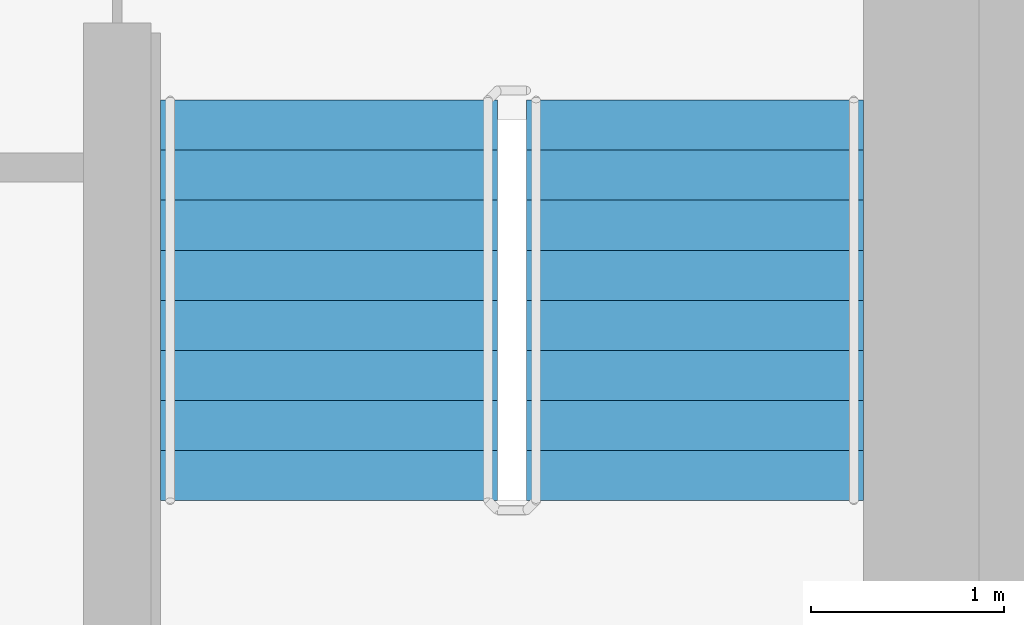
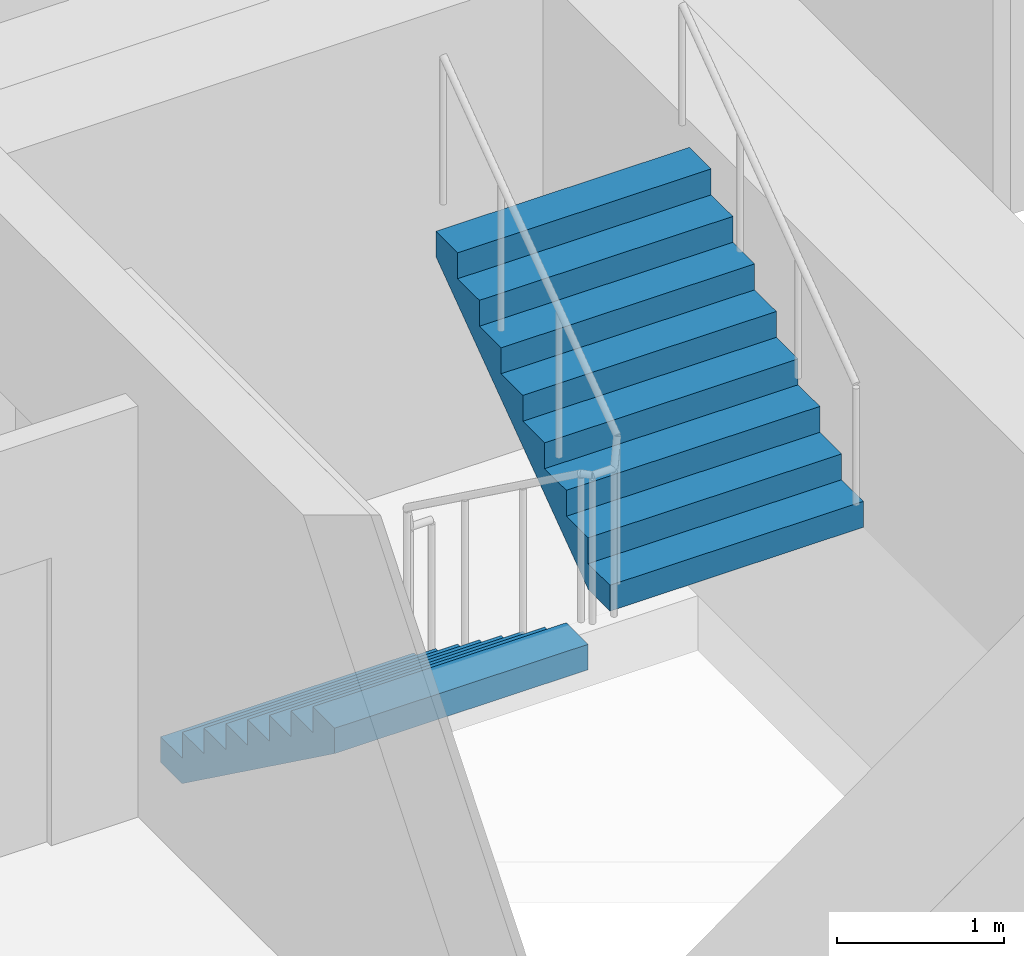
# One storey, part 14 of 18: 2 stair flights, 1 element without a shape of its own.
"""IFC4 building model written with IfcOpenShell, lengths in metres."""

from ifc_helpers import new_model, si_unit, direction, frame, origin, place, context, subcontext, project, spatial, faceted_brep, material, type_object, element, aggregate, save


model = new_model("IFC4")

# Units and contexts
model_context = context("Model", 3, precision=1e-05, world=origin(), true_north=direction((0.0, 1.0)))
body_context = subcontext(model_context, "Body", "Model", "MODEL_VIEW")
ifc_project = project(units=[si_unit("LENGTHUNIT", "METRE"), si_unit("AREAUNIT", "SQUARE_METRE"), si_unit("VOLUMEUNIT", "CUBIC_METRE"), si_unit("PLANEANGLEUNIT", "RADIAN"), si_unit("MASSUNIT", "GRAM", prefix="KILO")], contexts=[model_context])

# Site, building, storey
site_placement = place(None, origin())
site = spatial("IfcSite", under=ifc_project, at=site_placement, CompositionType="ELEMENT")
building_placement = place(site_placement, origin())
building = spatial("IfcBuilding", under=site, at=building_placement, Name="Ipe Terrace Towers", CompositionType="ELEMENT")
storey_placement = place(building_placement, frame((0.0, 0.0, 199.39990234375)))
storey = spatial("IfcBuildingStorey", under=building, at=storey_placement, Name="L55", CompositionType="ELEMENT", Elevation=199.39990234375)

# Stair, stair flights
ifc_material_1 = material(Name="Concrete C30/37", Category="concrete")
stair_type = type_object("IfcStairType", Name="Protected exit stair", PredefinedType="HALF_TURN_STAIR", material=ifc_material_1)
stair_placement = place(storey_placement, origin())
stair = element("IfcStair", 1, at=stair_placement, inside=storey, type_object=stair_type, Name="L55 Exit stair T2-C2", PredefinedType="HALF_TURN_STAIR")
ifc_material_2 = material(Name="Concrete C30/37", Category="concrete")
stair_flight_type = type_object("IfcStairFlightType", Name="Exit stair flight 1750", PredefinedType="STRAIGHT", material=ifc_material_2)
stair_flight_1_placement = place(storey_placement, frame((38.77490234375, -9.699951171875, 0.0), z_axis=(0.0, 0.0, 1.0), x_axis=(0.0, -1.0, 0.0)))
stair_flight_1 = element("IfcStairFlight", 2, at=stair_flight_1_placement, type_object=stair_flight_type, Name="T2-ST2 flight 1", NumberOfRisers=9, NumberOfTreads=8, PredefinedType="STRAIGHT", RiserHeight=0.188888889, TreadLength=0.26, context=body_context, shape_type="Brep", body=[
    faceted_brep([(0.255126953125, -0.875, 0.0), (2.080078125, -0.875, 1.325927734375), (2.080078125, -0.875, 1.51123046875), (1.820068359375, -0.875, 1.51123046875), (1.820068359375, -0.875, 1.322265625), (1.56005859375, -0.875, 1.322265625), (1.56005859375, -0.875, 1.13330078125), (1.300048828125, -0.875, 1.13330078125), (1.300048828125, -0.875, 0.9443359375), (1.0400390625, -0.875, 0.9443359375), (1.0400390625, -0.875, 0.755615234375), (0.780029296875, -0.875, 0.755615234375), (0.780029296875, -0.875, 0.566650390625), (0.52001953125, -0.875, 0.566650390625), (0.52001953125, -0.875, 0.377685546875), (0.260009765625, -0.875, 0.377685546875), (0.260009765625, -0.875, 0.18896484375), (0.0, -0.875, 0.18896484375), (0.0, -0.875, 0.0), (0.0, 0.875, 0.0), (0.0, 0.875, 0.18896484375), (0.260009765625, 0.875, 0.18896484375), (0.260009765625, 0.875, 0.377685546875), (0.52001953125, 0.875, 0.377685546875), (0.52001953125, 0.875, 0.566650390625), (0.780029296875, 0.875, 0.566650390625), (0.780029296875, 0.875, 0.755615234375), (1.0400390625, 0.875, 0.755615234375), (1.0400390625, 0.875, 0.9443359375), (1.300048828125, 0.875, 0.9443359375), (1.300048828125, 0.875, 1.13330078125), (1.56005859375, 0.875, 1.13330078125), (1.56005859375, 0.875, 1.322265625), (1.820068359375, 0.875, 1.322265625), (1.820068359375, 0.875, 1.51123046875), (2.080078125, 0.875, 1.51123046875), (2.080078125, 0.875, 1.325927734375), (0.255126953125, 0.875, 0.0), (0.0, -0.300048828125, 0.18896484375), (0.0, -0.1201171875, 0.18896484375), (0.0, -0.06005859375, 0.18896484375), (0.0, -0.030029296875, 0.18896484375), (0.0, -0.010009765625, 0.18896484375), (0.0, 0.0, 0.18896484375), (0.0, 0.010009765625, 0.18896484375), (0.0, 0.030029296875, 0.18896484375), (0.0, 0.06005859375, 0.18896484375), (0.0, 0.1201171875, 0.18896484375), (0.0, 0.300048828125, 0.18896484375), (0.0, 0.300048828125, 0.0), (0.0, 0.1201171875, 0.0), (0.0, 0.06005859375, 0.0), (0.0, 0.030029296875, 0.0), (0.0, 0.010009765625, 0.0), (0.0, 0.0, 0.0), (0.0, -0.010009765625, 0.0), (0.0, -0.030029296875, 0.0), (0.0, -0.06005859375, 0.0), (0.0, -0.1201171875, 0.0), (0.0, -0.300048828125, 0.0), (0.260009765625, -0.300048828125, 0.18896484375), (0.260009765625, -0.1201171875, 0.18896484375), (0.260009765625, -0.06005859375, 0.18896484375), (0.260009765625, -0.030029296875, 0.18896484375), (0.260009765625, -0.010009765625, 0.18896484375), (0.260009765625, 0.0, 0.18896484375), (0.260009765625, 0.010009765625, 0.18896484375), (0.260009765625, 0.030029296875, 0.18896484375), (0.260009765625, 0.06005859375, 0.18896484375), (0.260009765625, 0.1201171875, 0.18896484375), (0.260009765625, 0.300048828125, 0.18896484375), (0.260009765625, -0.300048828125, 0.377685546875), (0.260009765625, -0.1201171875, 0.377685546875), (0.260009765625, -0.06005859375, 0.377685546875), (0.260009765625, -0.030029296875, 0.377685546875), (0.260009765625, -0.010009765625, 0.377685546875), (0.260009765625, 0.0, 0.377685546875), (0.260009765625, 0.010009765625, 0.377685546875), (0.260009765625, 0.030029296875, 0.377685546875), (0.260009765625, 0.06005859375, 0.377685546875), (0.260009765625, 0.1201171875, 0.377685546875), (0.260009765625, 0.300048828125, 0.377685546875), (0.52001953125, -0.300048828125, 0.377685546875), (0.52001953125, -0.1201171875, 0.377685546875), (0.52001953125, -0.06005859375, 0.377685546875), (0.52001953125, -0.030029296875, 0.377685546875), (0.52001953125, -0.010009765625, 0.377685546875), (0.52001953125, 0.0, 0.377685546875), (0.52001953125, 0.010009765625, 0.377685546875), (0.52001953125, 0.030029296875, 0.377685546875), (0.52001953125, 0.06005859375, 0.377685546875), (0.52001953125, 0.1201171875, 0.377685546875), (0.52001953125, 0.300048828125, 0.377685546875), (0.52001953125, -0.300048828125, 0.566650390625), (0.52001953125, -0.1201171875, 0.566650390625), (0.52001953125, -0.06005859375, 0.566650390625), (0.52001953125, -0.030029296875, 0.566650390625), (0.52001953125, -0.010009765625, 0.566650390625), (0.52001953125, 0.0, 0.566650390625), (0.52001953125, 0.010009765625, 0.566650390625), (0.52001953125, 0.030029296875, 0.566650390625), (0.52001953125, 0.06005859375, 0.566650390625), (0.52001953125, 0.1201171875, 0.566650390625), (0.52001953125, 0.300048828125, 0.566650390625), (0.780029296875, -0.300048828125, 0.566650390625), (0.780029296875, -0.1201171875, 0.566650390625), (0.780029296875, -0.06005859375, 0.566650390625), (0.780029296875, -0.030029296875, 0.566650390625), (0.780029296875, -0.010009765625, 0.566650390625), (0.780029296875, 0.0, 0.566650390625), (0.780029296875, 0.010009765625, 0.566650390625), (0.780029296875, 0.030029296875, 0.566650390625), (0.780029296875, 0.06005859375, 0.566650390625), (0.780029296875, 0.1201171875, 0.566650390625), (0.780029296875, 0.300048828125, 0.566650390625), (0.780029296875, -0.300048828125, 0.755615234375), (0.780029296875, -0.1201171875, 0.755615234375), (0.780029296875, -0.06005859375, 0.755615234375), (0.780029296875, -0.030029296875, 0.755615234375), (0.780029296875, -0.010009765625, 0.755615234375), (0.780029296875, 0.0, 0.755615234375), (0.780029296875, 0.010009765625, 0.755615234375), (0.780029296875, 0.030029296875, 0.755615234375), (0.780029296875, 0.06005859375, 0.755615234375), (0.780029296875, 0.1201171875, 0.755615234375), (0.780029296875, 0.300048828125, 0.755615234375), (1.0400390625, -0.300048828125, 0.755615234375), (1.0400390625, -0.1201171875, 0.755615234375), (1.0400390625, -0.06005859375, 0.755615234375), (1.0400390625, -0.030029296875, 0.755615234375), (1.0400390625, -0.010009765625, 0.755615234375), (1.0400390625, 0.0, 0.755615234375), (1.0400390625, 0.010009765625, 0.755615234375), (1.0400390625, 0.030029296875, 0.755615234375), (1.0400390625, 0.06005859375, 0.755615234375), (1.0400390625, 0.1201171875, 0.755615234375), (1.0400390625, 0.300048828125, 0.755615234375), (1.0400390625, -0.300048828125, 0.9443359375), (1.0400390625, -0.1201171875, 0.9443359375), (1.0400390625, -0.06005859375, 0.9443359375), (1.0400390625, -0.030029296875, 0.9443359375), (1.0400390625, -0.010009765625, 0.9443359375), (1.0400390625, 0.0, 0.9443359375), (1.0400390625, 0.010009765625, 0.9443359375), (1.0400390625, 0.030029296875, 0.9443359375), (1.0400390625, 0.06005859375, 0.9443359375), (1.0400390625, 0.1201171875, 0.9443359375), (1.0400390625, 0.300048828125, 0.9443359375), (1.300048828125, -0.300048828125, 0.9443359375), (1.300048828125, -0.1201171875, 0.9443359375), (1.300048828125, -0.06005859375, 0.9443359375), (1.300048828125, -0.030029296875, 0.9443359375), (1.300048828125, -0.010009765625, 0.9443359375), (1.300048828125, 0.0, 0.9443359375), (1.300048828125, 0.010009765625, 0.9443359375), (1.300048828125, 0.030029296875, 0.9443359375), (1.300048828125, 0.06005859375, 0.9443359375), (1.300048828125, 0.1201171875, 0.9443359375), (1.300048828125, 0.300048828125, 0.9443359375), (1.300048828125, -0.300048828125, 1.13330078125), (1.300048828125, -0.1201171875, 1.13330078125), (1.300048828125, -0.06005859375, 1.13330078125), (1.300048828125, -0.030029296875, 1.13330078125), (1.300048828125, -0.010009765625, 1.13330078125), (1.300048828125, 0.0, 1.13330078125), (1.300048828125, 0.010009765625, 1.13330078125), (1.300048828125, 0.030029296875, 1.13330078125), (1.300048828125, 0.06005859375, 1.13330078125), (1.300048828125, 0.1201171875, 1.13330078125), (1.300048828125, 0.300048828125, 1.13330078125), (1.56005859375, -0.300048828125, 1.13330078125), (1.56005859375, -0.1201171875, 1.13330078125), (1.56005859375, -0.06005859375, 1.13330078125), (1.56005859375, -0.030029296875, 1.13330078125), (1.56005859375, -0.010009765625, 1.13330078125), (1.56005859375, 0.0, 1.13330078125), (1.56005859375, 0.010009765625, 1.13330078125), (1.56005859375, 0.030029296875, 1.13330078125), (1.56005859375, 0.06005859375, 1.13330078125), (1.56005859375, 0.1201171875, 1.13330078125), (1.56005859375, 0.300048828125, 1.13330078125), (1.56005859375, -0.300048828125, 1.322265625), (1.56005859375, -0.1201171875, 1.322265625), (1.56005859375, -0.06005859375, 1.322265625), (1.56005859375, -0.030029296875, 1.322265625), (1.56005859375, -0.010009765625, 1.322265625), (1.56005859375, 0.0, 1.322265625), (1.56005859375, 0.010009765625, 1.322265625), (1.56005859375, 0.030029296875, 1.322265625), (1.56005859375, 0.06005859375, 1.322265625), (1.56005859375, 0.1201171875, 1.322265625), (1.56005859375, 0.300048828125, 1.322265625), (1.820068359375, -0.300048828125, 1.322265625), (1.820068359375, -0.1201171875, 1.322265625), (1.820068359375, -0.06005859375, 1.322265625), (1.820068359375, -0.030029296875, 1.322265625), (1.820068359375, -0.010009765625, 1.322265625), (1.820068359375, 0.0, 1.322265625), (1.820068359375, 0.010009765625, 1.322265625), (1.820068359375, 0.030029296875, 1.322265625), (1.820068359375, 0.06005859375, 1.322265625), (1.820068359375, 0.1201171875, 1.322265625), (1.820068359375, 0.300048828125, 1.322265625), (1.820068359375, -0.300048828125, 1.51123046875), (1.820068359375, -0.1201171875, 1.51123046875), (1.820068359375, -0.06005859375, 1.51123046875), (1.820068359375, -0.030029296875, 1.51123046875), (1.820068359375, -0.010009765625, 1.51123046875), (1.820068359375, 0.0, 1.51123046875), (1.820068359375, 0.010009765625, 1.51123046875), (1.820068359375, 0.030029296875, 1.51123046875), (1.820068359375, 0.06005859375, 1.51123046875), (1.820068359375, 0.1201171875, 1.51123046875), (1.820068359375, 0.300048828125, 1.51123046875), (2.080078125, -0.300048828125, 1.51123046875), (2.080078125, -0.1201171875, 1.51123046875), (2.080078125, -0.06005859375, 1.51123046875), (2.080078125, -0.030029296875, 1.51123046875), (2.080078125, -0.010009765625, 1.51123046875), (2.080078125, 0.0, 1.51123046875), (2.080078125, 0.010009765625, 1.51123046875), (2.080078125, 0.030029296875, 1.51123046875), (2.080078125, 0.06005859375, 1.51123046875), (2.080078125, 0.1201171875, 1.51123046875), (2.080078125, 0.300048828125, 1.51123046875), (2.080078125, -0.300048828125, 1.325927734375), (2.080078125, -0.1201171875, 1.325927734375), (2.080078125, -0.06005859375, 1.325927734375), (2.080078125, -0.030029296875, 1.325927734375), (2.080078125, -0.010009765625, 1.325927734375), (2.080078125, 0.0, 1.325927734375), (2.080078125, 0.010009765625, 1.325927734375), (2.080078125, 0.030029296875, 1.325927734375), (2.080078125, 0.06005859375, 1.325927734375), (2.080078125, 0.1201171875, 1.325927734375), (2.080078125, 0.300048828125, 1.325927734375), (0.255126953125, -0.300048828125, 0.0), (0.255126953125, -0.1201171875, 0.0), (0.255126953125, -0.06005859375, 0.0), (0.255126953125, -0.030029296875, 0.0), (0.255126953125, -0.010009765625, 0.0), (0.255126953125, 0.0, 0.0), (0.255126953125, 0.010009765625, 0.0), (0.255126953125, 0.030029296875, 0.0), (0.255126953125, 0.06005859375, 0.0), (0.255126953125, 0.1201171875, 0.0), (0.255126953125, 0.300048828125, 0.0)], [[[0, 1, 2, 3, 4, 5, 6, 7, 8, 9, 10, 11, 12, 13, 14, 15, 16, 17, 18]], [[19, 20, 21, 22, 23, 24, 25, 26, 27, 28, 29, 30, 31, 32, 33, 34, 35, 36, 37]], [[17, 38, 39, 40, 41, 42, 43, 44, 45, 46, 47, 48, 20, 19, 49, 50, 51, 52, 53, 54, 55, 56, 57, 58, 59, 18]], [[16, 60, 61, 62, 63, 64, 65, 66, 67, 68, 69, 70, 21, 20, 48, 47, 46, 45, 44, 43, 42, 41, 40, 39, 38, 17]], [[15, 71, 72, 73, 74, 75, 76, 77, 78, 79, 80, 81, 22, 21, 70, 69, 68, 67, 66, 65, 64, 63, 62, 61, 60, 16]], [[14, 82, 83, 84, 85, 86, 87, 88, 89, 90, 91, 92, 23, 22, 81, 80, 79, 78, 77, 76, 75, 74, 73, 72, 71, 15]], [[13, 93, 94, 95, 96, 97, 98, 99, 100, 101, 102, 103, 24, 23, 92, 91, 90, 89, 88, 87, 86, 85, 84, 83, 82, 14]], [[12, 104, 105, 106, 107, 108, 109, 110, 111, 112, 113, 114, 25, 24, 103, 102, 101, 100, 99, 98, 97, 96, 95, 94, 93, 13]], [[11, 115, 116, 117, 118, 119, 120, 121, 122, 123, 124, 125, 26, 25, 114, 113, 112, 111, 110, 109, 108, 107, 106, 105, 104, 12]], [[10, 126, 127, 128, 129, 130, 131, 132, 133, 134, 135, 136, 27, 26, 125, 124, 123, 122, 121, 120, 119, 118, 117, 116, 115, 11]], [[9, 137, 138, 139, 140, 141, 142, 143, 144, 145, 146, 147, 28, 27, 136, 135, 134, 133, 132, 131, 130, 129, 128, 127, 126, 10]], [[8, 148, 149, 150, 151, 152, 153, 154, 155, 156, 157, 158, 29, 28, 147, 146, 145, 144, 143, 142, 141, 140, 139, 138, 137, 9]], [[7, 159, 160, 161, 162, 163, 164, 165, 166, 167, 168, 169, 30, 29, 158, 157, 156, 155, 154, 153, 152, 151, 150, 149, 148, 8]], [[6, 170, 171, 172, 173, 174, 175, 176, 177, 178, 179, 180, 31, 30, 169, 168, 167, 166, 165, 164, 163, 162, 161, 160, 159, 7]], [[5, 181, 182, 183, 184, 185, 186, 187, 188, 189, 190, 191, 32, 31, 180, 179, 178, 177, 176, 175, 174, 173, 172, 171, 170, 6]], [[4, 192, 193, 194, 195, 196, 197, 198, 199, 200, 201, 202, 33, 32, 191, 190, 189, 188, 187, 186, 185, 184, 183, 182, 181, 5]], [[3, 203, 204, 205, 206, 207, 208, 209, 210, 211, 212, 213, 34, 33, 202, 201, 200, 199, 198, 197, 196, 195, 194, 193, 192, 4]], [[2, 214, 215, 216, 217, 218, 219, 220, 221, 222, 223, 224, 35, 34, 213, 212, 211, 210, 209, 208, 207, 206, 205, 204, 203, 3]], [[1, 225, 226, 227, 228, 229, 230, 231, 232, 233, 234, 235, 36, 35, 224, 223, 222, 221, 220, 219, 218, 217, 216, 215, 214, 2]], [[0, 236, 237, 238, 239, 240, 241, 242, 243, 244, 245, 246, 37, 36, 235, 234, 233, 232, 231, 230, 229, 228, 227, 226, 225, 1]], [[18, 59, 58, 57, 56, 55, 54, 53, 52, 51, 50, 49, 19, 37, 246, 245, 244, 243, 242, 241, 240, 239, 238, 237, 236, 0]]]),
])
stair_flight_2_placement = place(storey_placement, frame((40.675048828125, -11.780029296875, 1.7001953125), z_axis=(0.0, 0.0, 1.0), x_axis=(0.0, 1.0, 0.0)))
stair_flight_2 = element("IfcStairFlight", 3, at=stair_flight_2_placement, type_object=stair_flight_type, Name="T2-ST2 flight 2", NumberOfRisers=9, NumberOfTreads=8, PredefinedType="STRAIGHT", RiserHeight=0.188888889, TreadLength=0.26, context=body_context, shape_type="Brep", body=[
    faceted_brep([(0.255126953125, -0.875, 0.0), (2.080078125, -0.875, 1.325927734375), (2.080078125, -0.875, 1.51123046875), (1.820068359375, -0.875, 1.51123046875), (1.820068359375, -0.875, 1.322265625), (1.56005859375, -0.875, 1.322265625), (1.56005859375, -0.875, 1.13330078125), (1.300048828125, -0.875, 1.13330078125), (1.300048828125, -0.875, 0.9443359375), (1.0400390625, -0.875, 0.9443359375), (1.0400390625, -0.875, 0.755615234375), (0.780029296875, -0.875, 0.755615234375), (0.780029296875, -0.875, 0.566650390625), (0.52001953125, -0.875, 0.566650390625), (0.52001953125, -0.875, 0.377685546875), (0.260009765625, -0.875, 0.377685546875), (0.260009765625, -0.875, 0.18896484375), (0.0, -0.875, 0.18896484375), (0.0, -0.875, 0.0), (0.0, 0.875, 0.0), (0.0, 0.875, 0.18896484375), (0.260009765625, 0.875, 0.18896484375), (0.260009765625, 0.875, 0.377685546875), (0.52001953125, 0.875, 0.377685546875), (0.52001953125, 0.875, 0.566650390625), (0.780029296875, 0.875, 0.566650390625), (0.780029296875, 0.875, 0.755615234375), (1.0400390625, 0.875, 0.755615234375), (1.0400390625, 0.875, 0.9443359375), (1.300048828125, 0.875, 0.9443359375), (1.300048828125, 0.875, 1.13330078125), (1.56005859375, 0.875, 1.13330078125), (1.56005859375, 0.875, 1.322265625), (1.820068359375, 0.875, 1.322265625), (1.820068359375, 0.875, 1.51123046875), (2.080078125, 0.875, 1.51123046875), (2.080078125, 0.875, 1.325927734375), (0.255126953125, 0.875, 0.0), (0.0, -0.300048828125, 0.18896484375), (0.0, -0.1201171875, 0.18896484375), (0.0, -0.06005859375, 0.18896484375), (0.0, -0.030029296875, 0.18896484375), (0.0, -0.010009765625, 0.18896484375), (0.0, 0.0, 0.18896484375), (0.0, 0.010009765625, 0.18896484375), (0.0, 0.030029296875, 0.18896484375), (0.0, 0.06005859375, 0.18896484375), (0.0, 0.1201171875, 0.18896484375), (0.0, 0.300048828125, 0.18896484375), (0.0, 0.300048828125, 0.0), (0.0, 0.1201171875, 0.0), (0.0, 0.06005859375, 0.0), (0.0, 0.030029296875, 0.0), (0.0, 0.010009765625, 0.0), (0.0, 0.0, 0.0), (0.0, -0.010009765625, 0.0), (0.0, -0.030029296875, 0.0), (0.0, -0.06005859375, 0.0), (0.0, -0.1201171875, 0.0), (0.0, -0.300048828125, 0.0), (0.260009765625, -0.300048828125, 0.18896484375), (0.260009765625, -0.1201171875, 0.18896484375), (0.260009765625, -0.06005859375, 0.18896484375), (0.260009765625, -0.030029296875, 0.18896484375), (0.260009765625, -0.010009765625, 0.18896484375), (0.260009765625, 0.0, 0.18896484375), (0.260009765625, 0.010009765625, 0.18896484375), (0.260009765625, 0.030029296875, 0.18896484375), (0.260009765625, 0.06005859375, 0.18896484375), (0.260009765625, 0.1201171875, 0.18896484375), (0.260009765625, 0.300048828125, 0.18896484375), (0.260009765625, -0.300048828125, 0.377685546875), (0.260009765625, -0.1201171875, 0.377685546875), (0.260009765625, -0.06005859375, 0.377685546875), (0.260009765625, -0.030029296875, 0.377685546875), (0.260009765625, -0.010009765625, 0.377685546875), (0.260009765625, 0.0, 0.377685546875), (0.260009765625, 0.010009765625, 0.377685546875), (0.260009765625, 0.030029296875, 0.377685546875), (0.260009765625, 0.06005859375, 0.377685546875), (0.260009765625, 0.1201171875, 0.377685546875), (0.260009765625, 0.300048828125, 0.377685546875), (0.52001953125, -0.300048828125, 0.377685546875), (0.52001953125, -0.1201171875, 0.377685546875), (0.52001953125, -0.06005859375, 0.377685546875), (0.52001953125, -0.030029296875, 0.377685546875), (0.52001953125, -0.010009765625, 0.377685546875), (0.52001953125, 0.0, 0.377685546875), (0.52001953125, 0.010009765625, 0.377685546875), (0.52001953125, 0.030029296875, 0.377685546875), (0.52001953125, 0.06005859375, 0.377685546875), (0.52001953125, 0.1201171875, 0.377685546875), (0.52001953125, 0.300048828125, 0.377685546875), (0.52001953125, -0.300048828125, 0.566650390625), (0.52001953125, -0.1201171875, 0.566650390625), (0.52001953125, -0.06005859375, 0.566650390625), (0.52001953125, -0.030029296875, 0.566650390625), (0.52001953125, -0.010009765625, 0.566650390625), (0.52001953125, 0.0, 0.566650390625), (0.52001953125, 0.010009765625, 0.566650390625), (0.52001953125, 0.030029296875, 0.566650390625), (0.52001953125, 0.06005859375, 0.566650390625), (0.52001953125, 0.1201171875, 0.566650390625), (0.52001953125, 0.300048828125, 0.566650390625), (0.780029296875, -0.300048828125, 0.566650390625), (0.780029296875, -0.1201171875, 0.566650390625), (0.780029296875, -0.06005859375, 0.566650390625), (0.780029296875, -0.030029296875, 0.566650390625), (0.780029296875, -0.010009765625, 0.566650390625), (0.780029296875, 0.0, 0.566650390625), (0.780029296875, 0.010009765625, 0.566650390625), (0.780029296875, 0.030029296875, 0.566650390625), (0.780029296875, 0.06005859375, 0.566650390625), (0.780029296875, 0.1201171875, 0.566650390625), (0.780029296875, 0.300048828125, 0.566650390625), (0.780029296875, -0.300048828125, 0.755615234375), (0.780029296875, -0.1201171875, 0.755615234375), (0.780029296875, -0.06005859375, 0.755615234375), (0.780029296875, -0.030029296875, 0.755615234375), (0.780029296875, -0.010009765625, 0.755615234375), (0.780029296875, 0.0, 0.755615234375), (0.780029296875, 0.010009765625, 0.755615234375), (0.780029296875, 0.030029296875, 0.755615234375), (0.780029296875, 0.06005859375, 0.755615234375), (0.780029296875, 0.1201171875, 0.755615234375), (0.780029296875, 0.300048828125, 0.755615234375), (1.0400390625, -0.300048828125, 0.755615234375), (1.0400390625, -0.1201171875, 0.755615234375), (1.0400390625, -0.06005859375, 0.755615234375), (1.0400390625, -0.030029296875, 0.755615234375), (1.0400390625, -0.010009765625, 0.755615234375), (1.0400390625, 0.0, 0.755615234375), (1.0400390625, 0.010009765625, 0.755615234375), (1.0400390625, 0.030029296875, 0.755615234375), (1.0400390625, 0.06005859375, 0.755615234375), (1.0400390625, 0.1201171875, 0.755615234375), (1.0400390625, 0.300048828125, 0.755615234375), (1.0400390625, -0.300048828125, 0.9443359375), (1.0400390625, -0.1201171875, 0.9443359375), (1.0400390625, -0.06005859375, 0.9443359375), (1.0400390625, -0.030029296875, 0.9443359375), (1.0400390625, -0.010009765625, 0.9443359375), (1.0400390625, 0.0, 0.9443359375), (1.0400390625, 0.010009765625, 0.9443359375), (1.0400390625, 0.030029296875, 0.9443359375), (1.0400390625, 0.06005859375, 0.9443359375), (1.0400390625, 0.1201171875, 0.9443359375), (1.0400390625, 0.300048828125, 0.9443359375), (1.300048828125, -0.300048828125, 0.9443359375), (1.300048828125, -0.1201171875, 0.9443359375), (1.300048828125, -0.06005859375, 0.9443359375), (1.300048828125, -0.030029296875, 0.9443359375), (1.300048828125, -0.010009765625, 0.9443359375), (1.300048828125, 0.0, 0.9443359375), (1.300048828125, 0.010009765625, 0.9443359375), (1.300048828125, 0.030029296875, 0.9443359375), (1.300048828125, 0.06005859375, 0.9443359375), (1.300048828125, 0.1201171875, 0.9443359375), (1.300048828125, 0.300048828125, 0.9443359375), (1.300048828125, -0.300048828125, 1.13330078125), (1.300048828125, -0.1201171875, 1.13330078125), (1.300048828125, -0.06005859375, 1.13330078125), (1.300048828125, -0.030029296875, 1.13330078125), (1.300048828125, -0.010009765625, 1.13330078125), (1.300048828125, 0.0, 1.13330078125), (1.300048828125, 0.010009765625, 1.13330078125), (1.300048828125, 0.030029296875, 1.13330078125), (1.300048828125, 0.06005859375, 1.13330078125), (1.300048828125, 0.1201171875, 1.13330078125), (1.300048828125, 0.300048828125, 1.13330078125), (1.56005859375, -0.300048828125, 1.13330078125), (1.56005859375, -0.1201171875, 1.13330078125), (1.56005859375, -0.06005859375, 1.13330078125), (1.56005859375, -0.030029296875, 1.13330078125), (1.56005859375, -0.010009765625, 1.13330078125), (1.56005859375, 0.0, 1.13330078125), (1.56005859375, 0.010009765625, 1.13330078125), (1.56005859375, 0.030029296875, 1.13330078125), (1.56005859375, 0.06005859375, 1.13330078125), (1.56005859375, 0.1201171875, 1.13330078125), (1.56005859375, 0.300048828125, 1.13330078125), (1.56005859375, -0.300048828125, 1.322265625), (1.56005859375, -0.1201171875, 1.322265625), (1.56005859375, -0.06005859375, 1.322265625), (1.56005859375, -0.030029296875, 1.322265625), (1.56005859375, -0.010009765625, 1.322265625), (1.56005859375, 0.0, 1.322265625), (1.56005859375, 0.010009765625, 1.322265625), (1.56005859375, 0.030029296875, 1.322265625), (1.56005859375, 0.06005859375, 1.322265625), (1.56005859375, 0.1201171875, 1.322265625), (1.56005859375, 0.300048828125, 1.322265625), (1.820068359375, -0.300048828125, 1.322265625), (1.820068359375, -0.1201171875, 1.322265625), (1.820068359375, -0.06005859375, 1.322265625), (1.820068359375, -0.030029296875, 1.322265625), (1.820068359375, -0.010009765625, 1.322265625), (1.820068359375, 0.0, 1.322265625), (1.820068359375, 0.010009765625, 1.322265625), (1.820068359375, 0.030029296875, 1.322265625), (1.820068359375, 0.06005859375, 1.322265625), (1.820068359375, 0.1201171875, 1.322265625), (1.820068359375, 0.300048828125, 1.322265625), (1.820068359375, -0.300048828125, 1.51123046875), (1.820068359375, -0.1201171875, 1.51123046875), (1.820068359375, -0.06005859375, 1.51123046875), (1.820068359375, -0.030029296875, 1.51123046875), (1.820068359375, -0.010009765625, 1.51123046875), (1.820068359375, 0.0, 1.51123046875), (1.820068359375, 0.010009765625, 1.51123046875), (1.820068359375, 0.030029296875, 1.51123046875), (1.820068359375, 0.06005859375, 1.51123046875), (1.820068359375, 0.1201171875, 1.51123046875), (1.820068359375, 0.300048828125, 1.51123046875), (2.080078125, -0.300048828125, 1.51123046875), (2.080078125, -0.1201171875, 1.51123046875), (2.080078125, -0.06005859375, 1.51123046875), (2.080078125, -0.030029296875, 1.51123046875), (2.080078125, -0.010009765625, 1.51123046875), (2.080078125, 0.0, 1.51123046875), (2.080078125, 0.010009765625, 1.51123046875), (2.080078125, 0.030029296875, 1.51123046875), (2.080078125, 0.06005859375, 1.51123046875), (2.080078125, 0.1201171875, 1.51123046875), (2.080078125, 0.300048828125, 1.51123046875), (2.080078125, -0.300048828125, 1.325927734375), (2.080078125, -0.1201171875, 1.325927734375), (2.080078125, -0.06005859375, 1.325927734375), (2.080078125, -0.030029296875, 1.325927734375), (2.080078125, -0.010009765625, 1.325927734375), (2.080078125, 0.0, 1.325927734375), (2.080078125, 0.010009765625, 1.325927734375), (2.080078125, 0.030029296875, 1.325927734375), (2.080078125, 0.06005859375, 1.325927734375), (2.080078125, 0.1201171875, 1.325927734375), (2.080078125, 0.300048828125, 1.325927734375), (0.255126953125, -0.300048828125, 0.0), (0.255126953125, -0.1201171875, 0.0), (0.255126953125, -0.06005859375, 0.0), (0.255126953125, -0.030029296875, 0.0), (0.255126953125, -0.010009765625, 0.0), (0.255126953125, 0.0, 0.0), (0.255126953125, 0.010009765625, 0.0), (0.255126953125, 0.030029296875, 0.0), (0.255126953125, 0.06005859375, 0.0), (0.255126953125, 0.1201171875, 0.0), (0.255126953125, 0.300048828125, 0.0)], [[[0, 1, 2, 3, 4, 5, 6, 7, 8, 9, 10, 11, 12, 13, 14, 15, 16, 17, 18]], [[19, 20, 21, 22, 23, 24, 25, 26, 27, 28, 29, 30, 31, 32, 33, 34, 35, 36, 37]], [[17, 38, 39, 40, 41, 42, 43, 44, 45, 46, 47, 48, 20, 19, 49, 50, 51, 52, 53, 54, 55, 56, 57, 58, 59, 18]], [[16, 60, 61, 62, 63, 64, 65, 66, 67, 68, 69, 70, 21, 20, 48, 47, 46, 45, 44, 43, 42, 41, 40, 39, 38, 17]], [[15, 71, 72, 73, 74, 75, 76, 77, 78, 79, 80, 81, 22, 21, 70, 69, 68, 67, 66, 65, 64, 63, 62, 61, 60, 16]], [[14, 82, 83, 84, 85, 86, 87, 88, 89, 90, 91, 92, 23, 22, 81, 80, 79, 78, 77, 76, 75, 74, 73, 72, 71, 15]], [[13, 93, 94, 95, 96, 97, 98, 99, 100, 101, 102, 103, 24, 23, 92, 91, 90, 89, 88, 87, 86, 85, 84, 83, 82, 14]], [[12, 104, 105, 106, 107, 108, 109, 110, 111, 112, 113, 114, 25, 24, 103, 102, 101, 100, 99, 98, 97, 96, 95, 94, 93, 13]], [[11, 115, 116, 117, 118, 119, 120, 121, 122, 123, 124, 125, 26, 25, 114, 113, 112, 111, 110, 109, 108, 107, 106, 105, 104, 12]], [[10, 126, 127, 128, 129, 130, 131, 132, 133, 134, 135, 136, 27, 26, 125, 124, 123, 122, 121, 120, 119, 118, 117, 116, 115, 11]], [[9, 137, 138, 139, 140, 141, 142, 143, 144, 145, 146, 147, 28, 27, 136, 135, 134, 133, 132, 131, 130, 129, 128, 127, 126, 10]], [[8, 148, 149, 150, 151, 152, 153, 154, 155, 156, 157, 158, 29, 28, 147, 146, 145, 144, 143, 142, 141, 140, 139, 138, 137, 9]], [[7, 159, 160, 161, 162, 163, 164, 165, 166, 167, 168, 169, 30, 29, 158, 157, 156, 155, 154, 153, 152, 151, 150, 149, 148, 8]], [[6, 170, 171, 172, 173, 174, 175, 176, 177, 178, 179, 180, 31, 30, 169, 168, 167, 166, 165, 164, 163, 162, 161, 160, 159, 7]], [[5, 181, 182, 183, 184, 185, 186, 187, 188, 189, 190, 191, 32, 31, 180, 179, 178, 177, 176, 175, 174, 173, 172, 171, 170, 6]], [[4, 192, 193, 194, 195, 196, 197, 198, 199, 200, 201, 202, 33, 32, 191, 190, 189, 188, 187, 186, 185, 184, 183, 182, 181, 5]], [[3, 203, 204, 205, 206, 207, 208, 209, 210, 211, 212, 213, 34, 33, 202, 201, 200, 199, 198, 197, 196, 195, 194, 193, 192, 4]], [[2, 214, 215, 216, 217, 218, 219, 220, 221, 222, 223, 224, 35, 34, 213, 212, 211, 210, 209, 208, 207, 206, 205, 204, 203, 3]], [[1, 225, 226, 227, 228, 229, 230, 231, 232, 233, 234, 235, 36, 35, 224, 223, 222, 221, 220, 219, 218, 217, 216, 215, 214, 2]], [[0, 236, 237, 238, 239, 240, 241, 242, 243, 244, 245, 246, 37, 36, 235, 234, 233, 232, 231, 230, 229, 228, 227, 226, 225, 1]], [[18, 59, 58, 57, 56, 55, 54, 53, 52, 51, 50, 49, 19, 37, 246, 245, 244, 243, 242, 241, 240, 239, 238, 237, 236, 0]]]),
])
aggregate(stair, [stair_flight_1, stair_flight_2])

save(model, "model.ifc")
